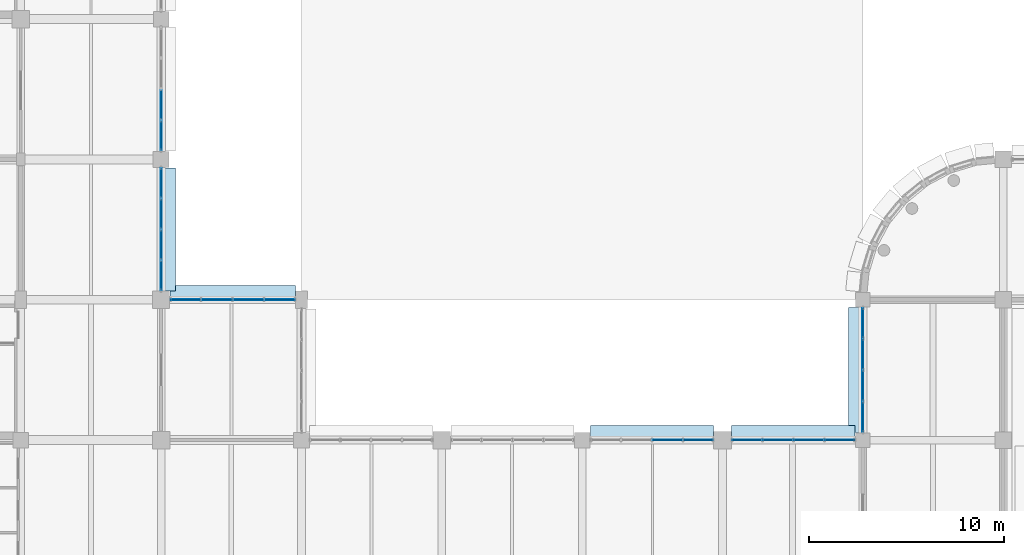
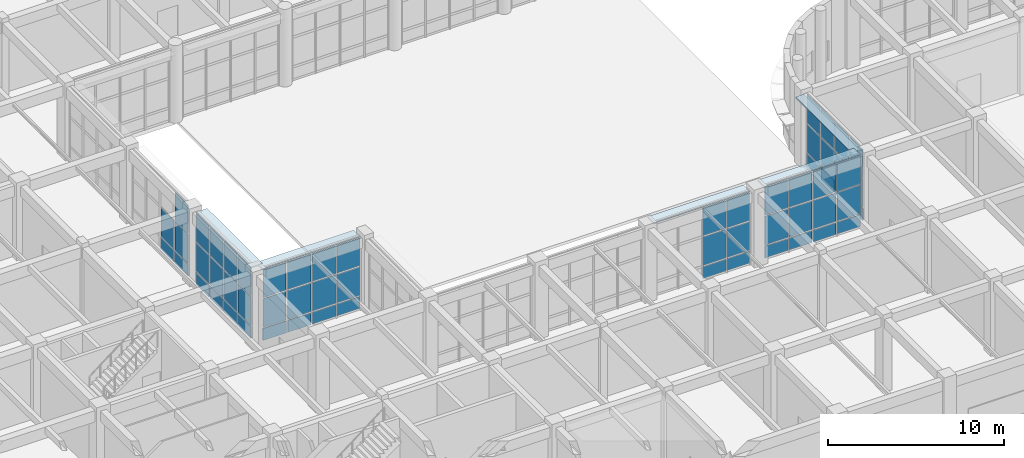
# One storey, part 113 of 160: 64 plates, 6 elements without a shape of their own.
"""IFC4 building model written with IfcOpenShell, lengths in metres."""

from ifc_helpers import new_model, si_unit, direction, frame, origin, origin_2d, place, context, subcontext, project, spatial, rectangle, extrude, material, layer, layer_set, type_object, element, aggregate, save


model = new_model("IFC4")

# Units and contexts
model_context = context("Model", 3, precision=1e-05, world=origin(), true_north=direction((0.0, 1.0)))
body_context = subcontext(model_context, "Body", "Model", "MODEL_VIEW")
ifc_project = project(units=[si_unit("LENGTHUNIT", "METRE"), si_unit("AREAUNIT", "SQUARE_METRE"), si_unit("VOLUMEUNIT", "CUBIC_METRE"), si_unit("PLANEANGLEUNIT", "RADIAN"), si_unit("MASSUNIT", "GRAM", prefix="KILO")], contexts=[model_context])

# Site, building, storey
site_placement = place(None, origin())
site = spatial("IfcSite", under=ifc_project, at=site_placement, CompositionType="ELEMENT")
building_placement = place(site_placement, origin())
building = spatial("IfcBuilding", under=site, at=building_placement, Name="Thalmaran Polytechnic", CompositionType="ELEMENT")
storey_placement = place(building_placement, origin())
storey = spatial("IfcBuildingStorey", under=building, at=storey_placement, Name="L00", CompositionType="ELEMENT", Elevation=0.0)

# Plates
ifc_material_1 = material(Name="Anodised aluminium sun-hood eyebrow", Category="aluminium")
ifc_layer_1 = layer(ifc_material_1, 0.0849609375, Name="Anodised aluminium sun-hood eyebrow")
ifc_layer_set_1 = layer_set([ifc_layer_1], Name="Anodised aluminium sun-hood eyebrow")
plate_type_1 = type_object("IfcPlateType", Name="PT-EB01", PredefinedType="SHEET", material=ifc_layer_set_1)
plate_1_placement = place(storey_placement, frame((21.9599609375, 32.4150390625, 4.987548828125), z_axis=(0.0, 0.0, 1.0), x_axis=(0.0, -1.0, 0.0)))
element("IfcPlate", 1, at=plate_1_placement, inside=storey, type_object=plate_type_1, Name="Streamline Sun-Hood Eyebrow L00-CW047", PredefinedType="SHEET", context=body_context, shape_type="SweptSolid", body=[
    extrude(rectangle(XDim=6.31005859375, YDim=0.760009765625, at=origin_2d()), origin(), (0.0, 0.0, 1.0), 0.0849609375),
])
plate_2_placement = place(storey_placement, frame((25.27001953125, 29.159912109375, 4.987548828125), z_axis=(0.0, 0.0, 1.0), x_axis=(1.0, 0.0, 0.0)))
element("IfcPlate", 2, at=plate_2_placement, inside=storey, type_object=plate_type_1, Name="Streamline Sun-Hood Eyebrow L00-CW048", PredefinedType="SHEET", context=body_context, shape_type="SweptSolid", body=[
    extrude(rectangle(XDim=6.419921875, YDim=0.760009765625, at=origin_2d()), origin(), (0.0, 0.0, 1.0), 0.0849609375),
])
plate_3_placement = place(storey_placement, frame((46.77490234375, 21.9599609375, 4.987548828125), z_axis=(0.0, 0.0, 1.0), x_axis=(1.0, 0.0, 0.0)))
element("IfcPlate", 3, at=plate_3_placement, inside=storey, type_object=plate_type_1, Name="Streamline Sun-Hood Eyebrow L00-CW052", PredefinedType="SHEET", context=body_context, shape_type="SweptSolid", body=[
    extrude(rectangle(XDim=6.31005859375, YDim=0.760009765625, at=origin_2d()), origin(), (0.0, 0.0, 1.0), 0.0849609375),
])
plate_4_placement = place(storey_placement, frame((54.03759765625, 21.9599609375, 4.987548828125), z_axis=(0.0, 0.0, 1.0), x_axis=(1.0, 0.0, 0.0)))
element("IfcPlate", 4, at=plate_4_placement, inside=storey, type_object=plate_type_1, Name="Streamline Sun-Hood Eyebrow L00-CW053", PredefinedType="SHEET", context=body_context, shape_type="SweptSolid", body=[
    extrude(rectangle(XDim=6.3349609375, YDim=0.760009765625, at=origin_2d()), origin(), (0.0, 0.0, 1.0), 0.0849609375),
])
plate_5_placement = place(storey_placement, frame((57.239990234375, 25.199951171875, 4.987548828125), z_axis=(0.0, 0.0, 1.0), x_axis=(0.0, 1.0, 0.0)))
element("IfcPlate", 5, at=plate_5_placement, inside=storey, type_object=plate_type_1, Name="Streamline Sun-Hood Eyebrow L00-CW054", PredefinedType="SHEET", context=body_context, shape_type="SweptSolid", body=[
    extrude(rectangle(XDim=6.409912109375, YDim=0.760009765625, at=origin_2d()), origin(), (0.0, 0.0, 1.0), 0.0849609375),
])

# Curtain wall, plates
ifc_material_2 = material(Name="Aluminium 6063-T6", Category="aluminium")
curtain_wall_type = type_object("IfcCurtainWallType", Name="CW-UC01", PredefinedType="USERDEFINED", material=ifc_material_2)
curtain_wall_1_placement = place(storey_placement, origin())
curtain_wall_1 = element("IfcCurtainWall", 6, at=curtain_wall_1_placement, inside=storey, type_object=curtain_wall_type, Name="Curtain Wall CW-L00-046", ObjectType="UNITISED CURTAIN WALL", PredefinedType="USERDEFINED")
ifc_material_3 = material(Name="Solar-control double low-E glass", Category="glass")
ifc_layer_2 = layer(ifc_material_3, 0.035888671875, Name="Solar-control double low-E glass")
ifc_layer_set_2 = layer_set([ifc_layer_2], Name="Solar-control double low-E glass")
plate_type_2 = type_object("IfcPlateType", Name="PT-GL02", PredefinedType="CURTAIN_PANEL", material=ifc_layer_set_2)
plate_6_placement = place(storey_placement, frame((21.60009765625, 38.80615234375, 1.0), z_axis=(0.0, 0.0, 1.0), x_axis=(0.0, -1.0, 0.0)))
plate_6 = element("IfcPlate", 7, at=plate_6_placement, type_object=plate_type_2, Name="CW-L00-046 Vision Panel 3-2", PredefinedType="CURTAIN_PANEL", context=body_context, shape_type="SweptSolid", body=[
    extrude(rectangle(XDim=1.49755859375, YDim=0.035888671875, at=origin_2d()), origin(), (0.0, 0.0, 1.0), 1.985107421875),
])
plate_7_placement = place(storey_placement, frame((21.60009765625, 37.208740234375, 1.0), z_axis=(0.0, 0.0, 1.0), x_axis=(0.0, -1.0, 0.0)))
plate_7 = element("IfcPlate", 8, at=plate_7_placement, type_object=plate_type_2, Name="CW-L00-046 Vision Panel 4-2", PredefinedType="CURTAIN_PANEL", context=body_context, shape_type="SweptSolid", body=[
    extrude(rectangle(XDim=1.49755859375, YDim=0.035888671875, at=origin_2d()), origin(), (0.0, 0.0, 1.0), 1.985107421875),
])
plate_8_placement = place(storey_placement, frame((21.60009765625, 37.208740234375, 3.06494140625), z_axis=(0.0, 0.0, 1.0), x_axis=(0.0, -1.0, 0.0)))
plate_8 = element("IfcPlate", 9, at=plate_8_placement, type_object=plate_type_2, Name="CW-L00-046 Vision Panel 4-3", PredefinedType="CURTAIN_PANEL", context=body_context, shape_type="SweptSolid", body=[
    extrude(rectangle(XDim=1.49755859375, YDim=0.035888671875, at=origin_2d()), origin(), (0.0, 0.0, 1.0), 1.925048828125),
])

curtain_wall_2_placement = place(storey_placement, origin())
curtain_wall_2 = element("IfcCurtainWall", 10, at=curtain_wall_2_placement, inside=storey, type_object=curtain_wall_type, Name="Curtain Wall CW-L00-047", ObjectType="UNITISED CURTAIN WALL", PredefinedType="USERDEFINED")
ifc_layer_3 = layer(ifc_material_3, 0.035888671875, Name="Solar-control double low-E glass")
ifc_layer_set_3 = layer_set([ifc_layer_3], Name="Solar-control double low-E glass")
plate_type_3 = type_object("IfcPlateType", Name="PT-GL03", PredefinedType="CURTAIN_PANEL", material=ifc_layer_set_3)
plate_9_placement = place(storey_placement, frame((21.60009765625, 34.796142578125, 1.0), z_axis=(0.0, 0.0, 1.0), x_axis=(0.0, -1.0, 0.0)))
plate_9 = element("IfcPlate", 11, at=plate_9_placement, type_object=plate_type_3, Name="CW-L00-047 Vision Panel 1-2", PredefinedType="CURTAIN_PANEL", context=body_context, shape_type="SweptSolid", body=[
    extrude(rectangle(XDim=1.487548828125, YDim=0.035888671875, at=origin_2d()), origin(), (0.0, 0.0, 1.0), 1.985107421875),
])
plate_10_placement = place(storey_placement, frame((21.60009765625, 34.796142578125, 3.06494140625), z_axis=(0.0, 0.0, 1.0), x_axis=(0.0, -1.0, 0.0)))
plate_10 = element("IfcPlate", 12, at=plate_10_placement, type_object=plate_type_3, Name="CW-L00-047 Vision Panel 1-3", PredefinedType="CURTAIN_PANEL", context=body_context, shape_type="SweptSolid", body=[
    extrude(rectangle(XDim=1.487548828125, YDim=0.035888671875, at=origin_2d()), origin(), (0.0, 0.0, 1.0), 1.925048828125),
])
plate_11_placement = place(storey_placement, frame((21.60009765625, 33.208740234375, 1.0), z_axis=(0.0, 0.0, 1.0), x_axis=(0.0, -1.0, 0.0)))
plate_11 = element("IfcPlate", 13, at=plate_11_placement, type_object=plate_type_3, Name="CW-L00-047 Vision Panel 2-2", PredefinedType="CURTAIN_PANEL", context=body_context, shape_type="SweptSolid", body=[
    extrude(rectangle(XDim=1.487548828125, YDim=0.035888671875, at=origin_2d()), origin(), (0.0, 0.0, 1.0), 1.985107421875),
])
plate_12_placement = place(storey_placement, frame((21.60009765625, 33.208740234375, 3.06494140625), z_axis=(0.0, 0.0, 1.0), x_axis=(0.0, -1.0, 0.0)))
plate_12 = element("IfcPlate", 14, at=plate_12_placement, type_object=plate_type_3, Name="CW-L00-047 Vision Panel 2-3", PredefinedType="CURTAIN_PANEL", context=body_context, shape_type="SweptSolid", body=[
    extrude(rectangle(XDim=1.487548828125, YDim=0.035888671875, at=origin_2d()), origin(), (0.0, 0.0, 1.0), 1.925048828125),
])
plate_13_placement = place(storey_placement, frame((21.60009765625, 31.621337890625, 1.0), z_axis=(0.0, 0.0, 1.0), x_axis=(0.0, -1.0, 0.0)))
plate_13 = element("IfcPlate", 15, at=plate_13_placement, type_object=plate_type_3, Name="CW-L00-047 Vision Panel 3-2", PredefinedType="CURTAIN_PANEL", context=body_context, shape_type="SweptSolid", body=[
    extrude(rectangle(XDim=1.487548828125, YDim=0.035888671875, at=origin_2d()), origin(), (0.0, 0.0, 1.0), 1.985107421875),
])
plate_14_placement = place(storey_placement, frame((21.60009765625, 31.621337890625, 3.06494140625), z_axis=(0.0, 0.0, 1.0), x_axis=(0.0, -1.0, 0.0)))
plate_14 = element("IfcPlate", 16, at=plate_14_placement, type_object=plate_type_3, Name="CW-L00-047 Vision Panel 3-3", PredefinedType="CURTAIN_PANEL", context=body_context, shape_type="SweptSolid", body=[
    extrude(rectangle(XDim=1.487548828125, YDim=0.035888671875, at=origin_2d()), origin(), (0.0, 0.0, 1.0), 1.925048828125),
])
plate_15_placement = place(storey_placement, frame((21.60009765625, 30.03369140625, 1.0), z_axis=(0.0, 0.0, 1.0), x_axis=(0.0, -1.0, 0.0)))
plate_15 = element("IfcPlate", 17, at=plate_15_placement, type_object=plate_type_3, Name="CW-L00-047 Vision Panel 4-2", PredefinedType="CURTAIN_PANEL", context=body_context, shape_type="SweptSolid", body=[
    extrude(rectangle(XDim=1.487548828125, YDim=0.035888671875, at=origin_2d()), origin(), (0.0, 0.0, 1.0), 1.985107421875),
])
plate_16_placement = place(storey_placement, frame((21.60009765625, 30.03369140625, 3.06494140625), z_axis=(0.0, 0.0, 1.0), x_axis=(0.0, -1.0, 0.0)))
plate_16 = element("IfcPlate", 18, at=plate_16_placement, type_object=plate_type_3, Name="CW-L00-047 Vision Panel 4-3", PredefinedType="CURTAIN_PANEL", context=body_context, shape_type="SweptSolid", body=[
    extrude(rectangle(XDim=1.487548828125, YDim=0.035888671875, at=origin_2d()), origin(), (0.0, 0.0, 1.0), 1.925048828125),
])

curtain_wall_3_placement = place(storey_placement, origin())
curtain_wall_3 = element("IfcCurtainWall", 19, at=curtain_wall_3_placement, inside=storey, type_object=curtain_wall_type, Name="Curtain Wall CW-L00-052", ObjectType="UNITISED CURTAIN WALL", PredefinedType="USERDEFINED")
plate_17_placement = place(storey_placement, frame((47.56884765625, 21.60009765625, 1.0), z_axis=(0.0, 0.0, 1.0), x_axis=(1.0, 0.0, 0.0)))
plate_17 = element("IfcPlate", 20, at=plate_17_placement, type_object=plate_type_3, Name="CW-L00-052 Vision Panel 3-2", PredefinedType="CURTAIN_PANEL", context=body_context, shape_type="SweptSolid", body=[
    extrude(rectangle(XDim=1.487548828125, YDim=0.035888671875, at=origin_2d()), origin(), (0.0, 0.0, 1.0), 1.985107421875),
])
plate_18_placement = place(storey_placement, frame((47.56884765625, 21.60009765625, 3.06494140625), z_axis=(0.0, 0.0, 1.0), x_axis=(1.0, 0.0, 0.0)))
plate_18 = element("IfcPlate", 21, at=plate_18_placement, type_object=plate_type_3, Name="CW-L00-052 Vision Panel 3-3", PredefinedType="CURTAIN_PANEL", context=body_context, shape_type="SweptSolid", body=[
    extrude(rectangle(XDim=1.487548828125, YDim=0.035888671875, at=origin_2d()), origin(), (0.0, 0.0, 1.0), 1.925048828125),
])
plate_19_placement = place(storey_placement, frame((49.15625, 21.60009765625, 1.0), z_axis=(0.0, 0.0, 1.0), x_axis=(1.0, 0.0, 0.0)))
plate_19 = element("IfcPlate", 22, at=plate_19_placement, type_object=plate_type_3, Name="CW-L00-052 Vision Panel 4-2", PredefinedType="CURTAIN_PANEL", context=body_context, shape_type="SweptSolid", body=[
    extrude(rectangle(XDim=1.487548828125, YDim=0.035888671875, at=origin_2d()), origin(), (0.0, 0.0, 1.0), 1.985107421875),
])
plate_20_placement = place(storey_placement, frame((49.15625, 21.60009765625, 3.06494140625), z_axis=(0.0, 0.0, 1.0), x_axis=(1.0, 0.0, 0.0)))
plate_20 = element("IfcPlate", 23, at=plate_20_placement, type_object=plate_type_3, Name="CW-L00-052 Vision Panel 4-3", PredefinedType="CURTAIN_PANEL", context=body_context, shape_type="SweptSolid", body=[
    extrude(rectangle(XDim=1.487548828125, YDim=0.035888671875, at=origin_2d()), origin(), (0.0, 0.0, 1.0), 1.925048828125),
])

curtain_wall_4_placement = place(storey_placement, origin())
curtain_wall_4 = element("IfcCurtainWall", 24, at=curtain_wall_4_placement, inside=storey, type_object=curtain_wall_type, Name="Curtain Wall CW-L00-048", ObjectType="UNITISED CURTAIN WALL", PredefinedType="USERDEFINED")
ifc_layer_4 = layer(ifc_material_3, 0.035888671875, Name="Solar-control double low-E glass")
ifc_layer_set_4 = layer_set([ifc_layer_4], Name="Solar-control double low-E glass")
plate_type_4 = type_object("IfcPlateType", Name="PT-GL04", PredefinedType="CURTAIN_PANEL", material=ifc_layer_set_4)
plate_21_placement = place(storey_placement, frame((22.847412109375, 28.800048828125, 1.0), z_axis=(0.0, 0.0, 1.0), x_axis=(1.0, 0.0, 0.0)))
plate_21 = element("IfcPlate", 25, at=plate_21_placement, type_object=plate_type_4, Name="CW-L00-048 Vision Panel 1-2", PredefinedType="CURTAIN_PANEL", context=body_context, shape_type="SweptSolid", body=[
    extrude(rectangle(XDim=1.514892578125, YDim=0.035888671875, at=origin_2d()), origin(), (0.0, 0.0, 1.0), 1.985107421875),
])
plate_22_placement = place(storey_placement, frame((22.847412109375, 28.800048828125, 3.06494140625), z_axis=(0.0, 0.0, 1.0), x_axis=(1.0, 0.0, 0.0)))
plate_22 = element("IfcPlate", 26, at=plate_22_placement, type_object=plate_type_4, Name="CW-L00-048 Vision Panel 1-3", PredefinedType="CURTAIN_PANEL", context=body_context, shape_type="SweptSolid", body=[
    extrude(rectangle(XDim=1.514892578125, YDim=0.035888671875, at=origin_2d()), origin(), (0.0, 0.0, 1.0), 1.925048828125),
])
plate_23_placement = place(storey_placement, frame((24.46240234375, 28.800048828125, 1.0), z_axis=(0.0, 0.0, 1.0), x_axis=(1.0, 0.0, 0.0)))
plate_23 = element("IfcPlate", 27, at=plate_23_placement, type_object=plate_type_4, Name="CW-L00-048 Vision Panel 2-2", PredefinedType="CURTAIN_PANEL", context=body_context, shape_type="SweptSolid", body=[
    extrude(rectangle(XDim=1.514892578125, YDim=0.035888671875, at=origin_2d()), origin(), (0.0, 0.0, 1.0), 1.985107421875),
])
plate_24_placement = place(storey_placement, frame((24.46240234375, 28.800048828125, 3.06494140625), z_axis=(0.0, 0.0, 1.0), x_axis=(1.0, 0.0, 0.0)))
plate_24 = element("IfcPlate", 28, at=plate_24_placement, type_object=plate_type_4, Name="CW-L00-048 Vision Panel 2-3", PredefinedType="CURTAIN_PANEL", context=body_context, shape_type="SweptSolid", body=[
    extrude(rectangle(XDim=1.514892578125, YDim=0.035888671875, at=origin_2d()), origin(), (0.0, 0.0, 1.0), 1.925048828125),
])
plate_25_placement = place(storey_placement, frame((26.077392578125, 28.800048828125, 1.0), z_axis=(0.0, 0.0, 1.0), x_axis=(1.0, 0.0, 0.0)))
plate_25 = element("IfcPlate", 29, at=plate_25_placement, type_object=plate_type_4, Name="CW-L00-048 Vision Panel 3-2", PredefinedType="CURTAIN_PANEL", context=body_context, shape_type="SweptSolid", body=[
    extrude(rectangle(XDim=1.514892578125, YDim=0.035888671875, at=origin_2d()), origin(), (0.0, 0.0, 1.0), 1.985107421875),
])
plate_26_placement = place(storey_placement, frame((26.077392578125, 28.800048828125, 3.06494140625), z_axis=(0.0, 0.0, 1.0), x_axis=(1.0, 0.0, 0.0)))
plate_26 = element("IfcPlate", 30, at=plate_26_placement, type_object=plate_type_4, Name="CW-L00-048 Vision Panel 3-3", PredefinedType="CURTAIN_PANEL", context=body_context, shape_type="SweptSolid", body=[
    extrude(rectangle(XDim=1.514892578125, YDim=0.035888671875, at=origin_2d()), origin(), (0.0, 0.0, 1.0), 1.925048828125),
])
plate_27_placement = place(storey_placement, frame((27.6923828125, 28.800048828125, 1.0), z_axis=(0.0, 0.0, 1.0), x_axis=(1.0, 0.0, 0.0)))
plate_27 = element("IfcPlate", 31, at=plate_27_placement, type_object=plate_type_4, Name="CW-L00-048 Vision Panel 4-2", PredefinedType="CURTAIN_PANEL", context=body_context, shape_type="SweptSolid", body=[
    extrude(rectangle(XDim=1.514892578125, YDim=0.035888671875, at=origin_2d()), origin(), (0.0, 0.0, 1.0), 1.985107421875),
])
plate_28_placement = place(storey_placement, frame((27.6923828125, 28.800048828125, 3.06494140625), z_axis=(0.0, 0.0, 1.0), x_axis=(1.0, 0.0, 0.0)))
plate_28 = element("IfcPlate", 32, at=plate_28_placement, type_object=plate_type_4, Name="CW-L00-048 Vision Panel 4-3", PredefinedType="CURTAIN_PANEL", context=body_context, shape_type="SweptSolid", body=[
    extrude(rectangle(XDim=1.514892578125, YDim=0.035888671875, at=origin_2d()), origin(), (0.0, 0.0, 1.0), 1.925048828125),
])

curtain_wall_5_placement = place(storey_placement, origin())
curtain_wall_5 = element("IfcCurtainWall", 33, at=curtain_wall_5_placement, inside=storey, type_object=curtain_wall_type, Name="Curtain Wall CW-L00-053", ObjectType="UNITISED CURTAIN WALL", PredefinedType="USERDEFINED")
plate_29_placement = place(storey_placement, frame((51.64697265625, 21.60009765625, 1.0), z_axis=(0.0, 0.0, 1.0), x_axis=(1.0, 0.0, 0.0)))
plate_29 = element("IfcPlate", 34, at=plate_29_placement, type_object=plate_type_4, Name="CW-L00-053 Vision Panel 1-2", PredefinedType="CURTAIN_PANEL", context=body_context, shape_type="SweptSolid", body=[
    extrude(rectangle(XDim=1.49365234375, YDim=0.035888671875, at=origin_2d()), origin(), (0.0, 0.0, 1.0), 1.985107421875),
])
plate_30_placement = place(storey_placement, frame((51.64697265625, 21.60009765625, 3.06494140625), z_axis=(0.0, 0.0, 1.0), x_axis=(1.0, 0.0, 0.0)))
plate_30 = element("IfcPlate", 35, at=plate_30_placement, type_object=plate_type_4, Name="CW-L00-053 Vision Panel 1-3", PredefinedType="CURTAIN_PANEL", context=body_context, shape_type="SweptSolid", body=[
    extrude(rectangle(XDim=1.49365234375, YDim=0.035888671875, at=origin_2d()), origin(), (0.0, 0.0, 1.0), 1.925048828125),
])
plate_31_placement = place(storey_placement, frame((53.24072265625, 21.60009765625, 1.0), z_axis=(0.0, 0.0, 1.0), x_axis=(1.0, 0.0, 0.0)))
plate_31 = element("IfcPlate", 36, at=plate_31_placement, type_object=plate_type_4, Name="CW-L00-053 Vision Panel 2-2", PredefinedType="CURTAIN_PANEL", context=body_context, shape_type="SweptSolid", body=[
    extrude(rectangle(XDim=1.493896484375, YDim=0.035888671875, at=origin_2d()), origin(), (0.0, 0.0, 1.0), 1.985107421875),
])
plate_32_placement = place(storey_placement, frame((53.24072265625, 21.60009765625, 3.06494140625), z_axis=(0.0, 0.0, 1.0), x_axis=(1.0, 0.0, 0.0)))
plate_32 = element("IfcPlate", 37, at=plate_32_placement, type_object=plate_type_4, Name="CW-L00-053 Vision Panel 2-3", PredefinedType="CURTAIN_PANEL", context=body_context, shape_type="SweptSolid", body=[
    extrude(rectangle(XDim=1.493896484375, YDim=0.035888671875, at=origin_2d()), origin(), (0.0, 0.0, 1.0), 1.925048828125),
])
plate_33_placement = place(storey_placement, frame((54.83447265625, 21.60009765625, 1.0), z_axis=(0.0, 0.0, 1.0), x_axis=(1.0, 0.0, 0.0)))
plate_33 = element("IfcPlate", 38, at=plate_33_placement, type_object=plate_type_4, Name="CW-L00-053 Vision Panel 3-2", PredefinedType="CURTAIN_PANEL", context=body_context, shape_type="SweptSolid", body=[
    extrude(rectangle(XDim=1.493896484375, YDim=0.035888671875, at=origin_2d()), origin(), (0.0, 0.0, 1.0), 1.985107421875),
])
plate_34_placement = place(storey_placement, frame((54.83447265625, 21.60009765625, 3.06494140625), z_axis=(0.0, 0.0, 1.0), x_axis=(1.0, 0.0, 0.0)))
plate_34 = element("IfcPlate", 39, at=plate_34_placement, type_object=plate_type_4, Name="CW-L00-053 Vision Panel 3-3", PredefinedType="CURTAIN_PANEL", context=body_context, shape_type="SweptSolid", body=[
    extrude(rectangle(XDim=1.493896484375, YDim=0.035888671875, at=origin_2d()), origin(), (0.0, 0.0, 1.0), 1.925048828125),
])
plate_35_placement = place(storey_placement, frame((56.42822265625, 21.60009765625, 1.0), z_axis=(0.0, 0.0, 1.0), x_axis=(1.0, 0.0, 0.0)))
plate_35 = element("IfcPlate", 40, at=plate_35_placement, type_object=plate_type_4, Name="CW-L00-053 Vision Panel 4-2", PredefinedType="CURTAIN_PANEL", context=body_context, shape_type="SweptSolid", body=[
    extrude(rectangle(XDim=1.493896484375, YDim=0.035888671875, at=origin_2d()), origin(), (0.0, 0.0, 1.0), 1.985107421875),
])
plate_36_placement = place(storey_placement, frame((56.42822265625, 21.60009765625, 3.06494140625), z_axis=(0.0, 0.0, 1.0), x_axis=(1.0, 0.0, 0.0)))
plate_36 = element("IfcPlate", 41, at=plate_36_placement, type_object=plate_type_4, Name="CW-L00-053 Vision Panel 4-3", PredefinedType="CURTAIN_PANEL", context=body_context, shape_type="SweptSolid", body=[
    extrude(rectangle(XDim=1.493896484375, YDim=0.035888671875, at=origin_2d()), origin(), (0.0, 0.0, 1.0), 1.925048828125),
])

curtain_wall_6_placement = place(storey_placement, origin())
curtain_wall_6 = element("IfcCurtainWall", 42, at=curtain_wall_6_placement, inside=storey, type_object=curtain_wall_type, Name="Curtain Wall CW-L00-054", ObjectType="UNITISED CURTAIN WALL", PredefinedType="USERDEFINED")
ifc_layer_5 = layer(ifc_material_3, 0.035888671875, Name="Solar-control double low-E glass")
ifc_layer_set_5 = layer_set([ifc_layer_5], Name="Solar-control double low-E glass")
plate_type_5 = type_object("IfcPlateType", Name="PT-GL05", PredefinedType="CURTAIN_PANEL", material=ifc_layer_set_5)
plate_37_placement = place(storey_placement, frame((57.60009765625, 22.78125, 1.0), z_axis=(0.0, 0.0, 1.0), x_axis=(0.0, 1.0, 0.0)))
plate_37 = element("IfcPlate", 43, at=plate_37_placement, type_object=plate_type_5, Name="CW-L00-054 Vision Panel 1-2", PredefinedType="CURTAIN_PANEL", context=body_context, shape_type="SweptSolid", body=[
    extrude(rectangle(XDim=1.512451171875, YDim=0.035888671875, at=origin_2d()), origin(), (0.0, 0.0, 1.0), 1.985107421875),
])
plate_38_placement = place(storey_placement, frame((57.60009765625, 22.78125, 3.06494140625), z_axis=(0.0, 0.0, 1.0), x_axis=(0.0, 1.0, 0.0)))
plate_38 = element("IfcPlate", 44, at=plate_38_placement, type_object=plate_type_5, Name="CW-L00-054 Vision Panel 1-3", PredefinedType="CURTAIN_PANEL", context=body_context, shape_type="SweptSolid", body=[
    extrude(rectangle(XDim=1.512451171875, YDim=0.035888671875, at=origin_2d()), origin(), (0.0, 0.0, 1.0), 1.925048828125),
])
plate_39_placement = place(storey_placement, frame((57.60009765625, 24.393798828125, 1.0), z_axis=(0.0, 0.0, 1.0), x_axis=(0.0, 1.0, 0.0)))
plate_39 = element("IfcPlate", 45, at=plate_39_placement, type_object=plate_type_5, Name="CW-L00-054 Vision Panel 2-2", PredefinedType="CURTAIN_PANEL", context=body_context, shape_type="SweptSolid", body=[
    extrude(rectangle(XDim=1.512451171875, YDim=0.035888671875, at=origin_2d()), origin(), (0.0, 0.0, 1.0), 1.985107421875),
])
plate_40_placement = place(storey_placement, frame((57.60009765625, 24.393798828125, 3.06494140625), z_axis=(0.0, 0.0, 1.0), x_axis=(0.0, 1.0, 0.0)))
plate_40 = element("IfcPlate", 46, at=plate_40_placement, type_object=plate_type_5, Name="CW-L00-054 Vision Panel 2-3", PredefinedType="CURTAIN_PANEL", context=body_context, shape_type="SweptSolid", body=[
    extrude(rectangle(XDim=1.512451171875, YDim=0.035888671875, at=origin_2d()), origin(), (0.0, 0.0, 1.0), 1.925048828125),
])
plate_41_placement = place(storey_placement, frame((57.60009765625, 26.00634765625, 1.0), z_axis=(0.0, 0.0, 1.0), x_axis=(0.0, 1.0, 0.0)))
plate_41 = element("IfcPlate", 47, at=plate_41_placement, type_object=plate_type_5, Name="CW-L00-054 Vision Panel 3-2", PredefinedType="CURTAIN_PANEL", context=body_context, shape_type="SweptSolid", body=[
    extrude(rectangle(XDim=1.512451171875, YDim=0.035888671875, at=origin_2d()), origin(), (0.0, 0.0, 1.0), 1.985107421875),
])
plate_42_placement = place(storey_placement, frame((57.60009765625, 26.00634765625, 3.06494140625), z_axis=(0.0, 0.0, 1.0), x_axis=(0.0, 1.0, 0.0)))
plate_42 = element("IfcPlate", 48, at=plate_42_placement, type_object=plate_type_5, Name="CW-L00-054 Vision Panel 3-3", PredefinedType="CURTAIN_PANEL", context=body_context, shape_type="SweptSolid", body=[
    extrude(rectangle(XDim=1.512451171875, YDim=0.035888671875, at=origin_2d()), origin(), (0.0, 0.0, 1.0), 1.925048828125),
])
plate_43_placement = place(storey_placement, frame((57.60009765625, 27.61865234375, 1.0), z_axis=(0.0, 0.0, 1.0), x_axis=(0.0, 1.0, 0.0)))
plate_43 = element("IfcPlate", 49, at=plate_43_placement, type_object=plate_type_5, Name="CW-L00-054 Vision Panel 4-2", PredefinedType="CURTAIN_PANEL", context=body_context, shape_type="SweptSolid", body=[
    extrude(rectangle(XDim=1.512451171875, YDim=0.035888671875, at=origin_2d()), origin(), (0.0, 0.0, 1.0), 1.985107421875),
])
plate_44_placement = place(storey_placement, frame((57.60009765625, 27.61865234375, 3.06494140625), z_axis=(0.0, 0.0, 1.0), x_axis=(0.0, 1.0, 0.0)))
plate_44 = element("IfcPlate", 50, at=plate_44_placement, type_object=plate_type_5, Name="CW-L00-054 Vision Panel 4-3", PredefinedType="CURTAIN_PANEL", context=body_context, shape_type="SweptSolid", body=[
    extrude(rectangle(XDim=1.512451171875, YDim=0.035888671875, at=origin_2d()), origin(), (0.0, 0.0, 1.0), 1.925048828125),
])

# Plate
ifc_material_4 = material(Name="Insulated anodised aluminium spandrel", Category="aluminium")
ifc_layer_6 = layer(ifc_material_4, 0.06005859375, Name="Insulated anodised aluminium spandrel")
ifc_layer_set_6 = layer_set([ifc_layer_6], Name="Insulated anodised aluminium spandrel")
plate_type_6 = type_object("IfcPlateType", Name="PT-SP01", PredefinedType="CURTAIN_PANEL", material=ifc_layer_set_6)
plate_45_placement = place(storey_placement, frame((22.847412109375, 28.800048828125, 0.10009765625), z_axis=(0.0, 0.0, 1.0), x_axis=(1.0, 0.0, 0.0)))
plate_45 = element("IfcPlate", 51, at=plate_45_placement, type_object=plate_type_6, Name="CW-L00-048 Spandrel Panel 1-1", PredefinedType="CURTAIN_PANEL", context=body_context, shape_type="SweptSolid", body=[
    extrude(rectangle(XDim=1.514892578125, YDim=0.06005859375, at=origin_2d()), origin(), (0.0, 0.0, 1.0), 0.820068359375),
])

plate_46_placement = place(storey_placement, frame((24.46240234375, 28.800048828125, 0.10009765625), z_axis=(0.0, 0.0, 1.0), x_axis=(1.0, 0.0, 0.0)))
plate_46 = element("IfcPlate", 52, at=plate_46_placement, type_object=plate_type_6, Name="CW-L00-048 Spandrel Panel 2-1", PredefinedType="CURTAIN_PANEL", context=body_context, shape_type="SweptSolid", body=[
    extrude(rectangle(XDim=1.514892578125, YDim=0.06005859375, at=origin_2d()), origin(), (0.0, 0.0, 1.0), 0.820068359375),
])

plate_47_placement = place(storey_placement, frame((26.077392578125, 28.800048828125, 0.10009765625), z_axis=(0.0, 0.0, 1.0), x_axis=(1.0, 0.0, 0.0)))
plate_47 = element("IfcPlate", 53, at=plate_47_placement, type_object=plate_type_6, Name="CW-L00-048 Spandrel Panel 3-1", PredefinedType="CURTAIN_PANEL", context=body_context, shape_type="SweptSolid", body=[
    extrude(rectangle(XDim=1.514892578125, YDim=0.06005859375, at=origin_2d()), origin(), (0.0, 0.0, 1.0), 0.820068359375),
])

plate_48_placement = place(storey_placement, frame((27.6923828125, 28.800048828125, 0.10009765625), z_axis=(0.0, 0.0, 1.0), x_axis=(1.0, 0.0, 0.0)))
plate_48 = element("IfcPlate", 54, at=plate_48_placement, type_object=plate_type_6, Name="CW-L00-048 Spandrel Panel 4-1", PredefinedType="CURTAIN_PANEL", context=body_context, shape_type="SweptSolid", body=[
    extrude(rectangle(XDim=1.514892578125, YDim=0.06005859375, at=origin_2d()), origin(), (0.0, 0.0, 1.0), 0.820068359375),
])

aggregate(curtain_wall_4, [plate_45, plate_21, plate_22, plate_46, plate_23, plate_24, plate_47, plate_25, plate_26, plate_48, plate_27, plate_28])

plate_49_placement = place(storey_placement, frame((57.60009765625, 22.78125, 0.10009765625), z_axis=(0.0, 0.0, 1.0), x_axis=(0.0, 1.0, 0.0)))
plate_49 = element("IfcPlate", 55, at=plate_49_placement, type_object=plate_type_6, Name="CW-L00-054 Spandrel Panel 1-1", PredefinedType="CURTAIN_PANEL", context=body_context, shape_type="SweptSolid", body=[
    extrude(rectangle(XDim=1.512451171875, YDim=0.06005859375, at=origin_2d()), origin(), (0.0, 0.0, 1.0), 0.820068359375),
])

plate_50_placement = place(storey_placement, frame((57.60009765625, 24.393798828125, 0.10009765625), z_axis=(0.0, 0.0, 1.0), x_axis=(0.0, 1.0, 0.0)))
plate_50 = element("IfcPlate", 56, at=plate_50_placement, type_object=plate_type_6, Name="CW-L00-054 Spandrel Panel 2-1", PredefinedType="CURTAIN_PANEL", context=body_context, shape_type="SweptSolid", body=[
    extrude(rectangle(XDim=1.512451171875, YDim=0.06005859375, at=origin_2d()), origin(), (0.0, 0.0, 1.0), 0.820068359375),
])

plate_51_placement = place(storey_placement, frame((57.60009765625, 26.00634765625, 0.10009765625), z_axis=(0.0, 0.0, 1.0), x_axis=(0.0, 1.0, 0.0)))
plate_51 = element("IfcPlate", 57, at=plate_51_placement, type_object=plate_type_6, Name="CW-L00-054 Spandrel Panel 3-1", PredefinedType="CURTAIN_PANEL", context=body_context, shape_type="SweptSolid", body=[
    extrude(rectangle(XDim=1.512451171875, YDim=0.06005859375, at=origin_2d()), origin(), (0.0, 0.0, 1.0), 0.820068359375),
])

plate_52_placement = place(storey_placement, frame((57.60009765625, 27.61865234375, 0.10009765625), z_axis=(0.0, 0.0, 1.0), x_axis=(0.0, 1.0, 0.0)))
plate_52 = element("IfcPlate", 58, at=plate_52_placement, type_object=plate_type_6, Name="CW-L00-054 Spandrel Panel 4-1", PredefinedType="CURTAIN_PANEL", context=body_context, shape_type="SweptSolid", body=[
    extrude(rectangle(XDim=1.512451171875, YDim=0.06005859375, at=origin_2d()), origin(), (0.0, 0.0, 1.0), 0.820068359375),
])

aggregate(curtain_wall_6, [plate_49, plate_37, plate_38, plate_50, plate_39, plate_40, plate_51, plate_41, plate_42, plate_52, plate_43, plate_44])

ifc_layer_7 = layer(ifc_material_4, 0.06005859375, Name="Insulated anodised aluminium spandrel")
ifc_layer_set_7 = layer_set([ifc_layer_7], Name="Insulated anodised aluminium spandrel")
plate_type_7 = type_object("IfcPlateType", Name="PT-SP02", PredefinedType="CURTAIN_PANEL", material=ifc_layer_set_7)
plate_53_placement = place(storey_placement, frame((21.60009765625, 38.80615234375, 0.10009765625), z_axis=(0.0, 0.0, 1.0), x_axis=(0.0, -1.0, 0.0)))
plate_53 = element("IfcPlate", 59, at=plate_53_placement, type_object=plate_type_7, Name="CW-L00-046 Spandrel Panel 3-1", PredefinedType="CURTAIN_PANEL", context=body_context, shape_type="SweptSolid", body=[
    extrude(rectangle(XDim=1.49755859375, YDim=0.06005859375, at=origin_2d()), origin(), (0.0, 0.0, 1.0), 0.820068359375),
])

plate_54_placement = place(storey_placement, frame((21.60009765625, 37.208740234375, 0.10009765625), z_axis=(0.0, 0.0, 1.0), x_axis=(0.0, -1.0, 0.0)))
plate_54 = element("IfcPlate", 60, at=plate_54_placement, type_object=plate_type_7, Name="CW-L00-046 Spandrel Panel 4-1", PredefinedType="CURTAIN_PANEL", context=body_context, shape_type="SweptSolid", body=[
    extrude(rectangle(XDim=1.49755859375, YDim=0.06005859375, at=origin_2d()), origin(), (0.0, 0.0, 1.0), 0.820068359375),
])

aggregate(curtain_wall_1, [plate_53, plate_6, plate_54, plate_7, plate_8])

plate_55_placement = place(storey_placement, frame((47.56884765625, 21.60009765625, 0.10009765625), z_axis=(0.0, 0.0, 1.0), x_axis=(1.0, 0.0, 0.0)))
plate_55 = element("IfcPlate", 61, at=plate_55_placement, type_object=plate_type_7, Name="CW-L00-052 Spandrel Panel 3-1", PredefinedType="CURTAIN_PANEL", context=body_context, shape_type="SweptSolid", body=[
    extrude(rectangle(XDim=1.487548828125, YDim=0.06005859375, at=origin_2d()), origin(), (0.0, 0.0, 1.0), 0.820068359375),
])

plate_56_placement = place(storey_placement, frame((49.15625, 21.60009765625, 0.10009765625), z_axis=(0.0, 0.0, 1.0), x_axis=(1.0, 0.0, 0.0)))
plate_56 = element("IfcPlate", 62, at=plate_56_placement, type_object=plate_type_7, Name="CW-L00-052 Spandrel Panel 4-1", PredefinedType="CURTAIN_PANEL", context=body_context, shape_type="SweptSolid", body=[
    extrude(rectangle(XDim=1.487548828125, YDim=0.06005859375, at=origin_2d()), origin(), (0.0, 0.0, 1.0), 0.820068359375),
])

aggregate(curtain_wall_3, [plate_55, plate_17, plate_18, plate_56, plate_19, plate_20])

ifc_layer_8 = layer(ifc_material_4, 0.06005859375, Name="Insulated anodised aluminium spandrel")
ifc_layer_set_8 = layer_set([ifc_layer_8], Name="Insulated anodised aluminium spandrel")
plate_type_8 = type_object("IfcPlateType", Name="PT-SP03", PredefinedType="CURTAIN_PANEL", material=ifc_layer_set_8)
plate_57_placement = place(storey_placement, frame((21.60009765625, 34.796142578125, 0.10009765625), z_axis=(0.0, 0.0, 1.0), x_axis=(0.0, -1.0, 0.0)))
plate_57 = element("IfcPlate", 63, at=plate_57_placement, type_object=plate_type_8, Name="CW-L00-047 Spandrel Panel 1-1", PredefinedType="CURTAIN_PANEL", context=body_context, shape_type="SweptSolid", body=[
    extrude(rectangle(XDim=1.487548828125, YDim=0.06005859375, at=origin_2d()), origin(), (0.0, 0.0, 1.0), 0.820068359375),
])

plate_58_placement = place(storey_placement, frame((21.60009765625, 33.208740234375, 0.10009765625), z_axis=(0.0, 0.0, 1.0), x_axis=(0.0, -1.0, 0.0)))
plate_58 = element("IfcPlate", 64, at=plate_58_placement, type_object=plate_type_8, Name="CW-L00-047 Spandrel Panel 2-1", PredefinedType="CURTAIN_PANEL", context=body_context, shape_type="SweptSolid", body=[
    extrude(rectangle(XDim=1.487548828125, YDim=0.06005859375, at=origin_2d()), origin(), (0.0, 0.0, 1.0), 0.820068359375),
])

plate_59_placement = place(storey_placement, frame((21.60009765625, 31.621337890625, 0.10009765625), z_axis=(0.0, 0.0, 1.0), x_axis=(0.0, -1.0, 0.0)))
plate_59 = element("IfcPlate", 65, at=plate_59_placement, type_object=plate_type_8, Name="CW-L00-047 Spandrel Panel 3-1", PredefinedType="CURTAIN_PANEL", context=body_context, shape_type="SweptSolid", body=[
    extrude(rectangle(XDim=1.487548828125, YDim=0.06005859375, at=origin_2d()), origin(), (0.0, 0.0, 1.0), 0.820068359375),
])

plate_60_placement = place(storey_placement, frame((21.60009765625, 30.03369140625, 0.10009765625), z_axis=(0.0, 0.0, 1.0), x_axis=(0.0, -1.0, 0.0)))
plate_60 = element("IfcPlate", 66, at=plate_60_placement, type_object=plate_type_8, Name="CW-L00-047 Spandrel Panel 4-1", PredefinedType="CURTAIN_PANEL", context=body_context, shape_type="SweptSolid", body=[
    extrude(rectangle(XDim=1.487548828125, YDim=0.06005859375, at=origin_2d()), origin(), (0.0, 0.0, 1.0), 0.820068359375),
])

aggregate(curtain_wall_2, [plate_57, plate_9, plate_10, plate_58, plate_11, plate_12, plate_59, plate_13, plate_14, plate_60, plate_15, plate_16])

plate_61_placement = place(storey_placement, frame((51.64697265625, 21.60009765625, 0.10009765625), z_axis=(0.0, 0.0, 1.0), x_axis=(1.0, 0.0, 0.0)))
plate_61 = element("IfcPlate", 67, at=plate_61_placement, type_object=plate_type_8, Name="CW-L00-053 Spandrel Panel 1-1", PredefinedType="CURTAIN_PANEL", context=body_context, shape_type="SweptSolid", body=[
    extrude(rectangle(XDim=1.49365234375, YDim=0.06005859375, at=origin_2d()), origin(), (0.0, 0.0, 1.0), 0.820068359375),
])

plate_62_placement = place(storey_placement, frame((53.24072265625, 21.60009765625, 0.10009765625), z_axis=(0.0, 0.0, 1.0), x_axis=(1.0, 0.0, 0.0)))
plate_62 = element("IfcPlate", 68, at=plate_62_placement, type_object=plate_type_8, Name="CW-L00-053 Spandrel Panel 2-1", PredefinedType="CURTAIN_PANEL", context=body_context, shape_type="SweptSolid", body=[
    extrude(rectangle(XDim=1.493896484375, YDim=0.06005859375, at=origin_2d()), origin(), (0.0, 0.0, 1.0), 0.820068359375),
])

plate_63_placement = place(storey_placement, frame((54.83447265625, 21.60009765625, 0.10009765625), z_axis=(0.0, 0.0, 1.0), x_axis=(1.0, 0.0, 0.0)))
plate_63 = element("IfcPlate", 69, at=plate_63_placement, type_object=plate_type_8, Name="CW-L00-053 Spandrel Panel 3-1", PredefinedType="CURTAIN_PANEL", context=body_context, shape_type="SweptSolid", body=[
    extrude(rectangle(XDim=1.493896484375, YDim=0.06005859375, at=origin_2d()), origin(), (0.0, 0.0, 1.0), 0.820068359375),
])

plate_64_placement = place(storey_placement, frame((56.42822265625, 21.60009765625, 0.10009765625), z_axis=(0.0, 0.0, 1.0), x_axis=(1.0, 0.0, 0.0)))
plate_64 = element("IfcPlate", 70, at=plate_64_placement, type_object=plate_type_8, Name="CW-L00-053 Spandrel Panel 4-1", PredefinedType="CURTAIN_PANEL", context=body_context, shape_type="SweptSolid", body=[
    extrude(rectangle(XDim=1.493896484375, YDim=0.06005859375, at=origin_2d()), origin(), (0.0, 0.0, 1.0), 0.820068359375),
])

aggregate(curtain_wall_5, [plate_61, plate_29, plate_30, plate_62, plate_31, plate_32, plate_63, plate_33, plate_34, plate_64, plate_35, plate_36])

save(model, "model.ifc")
